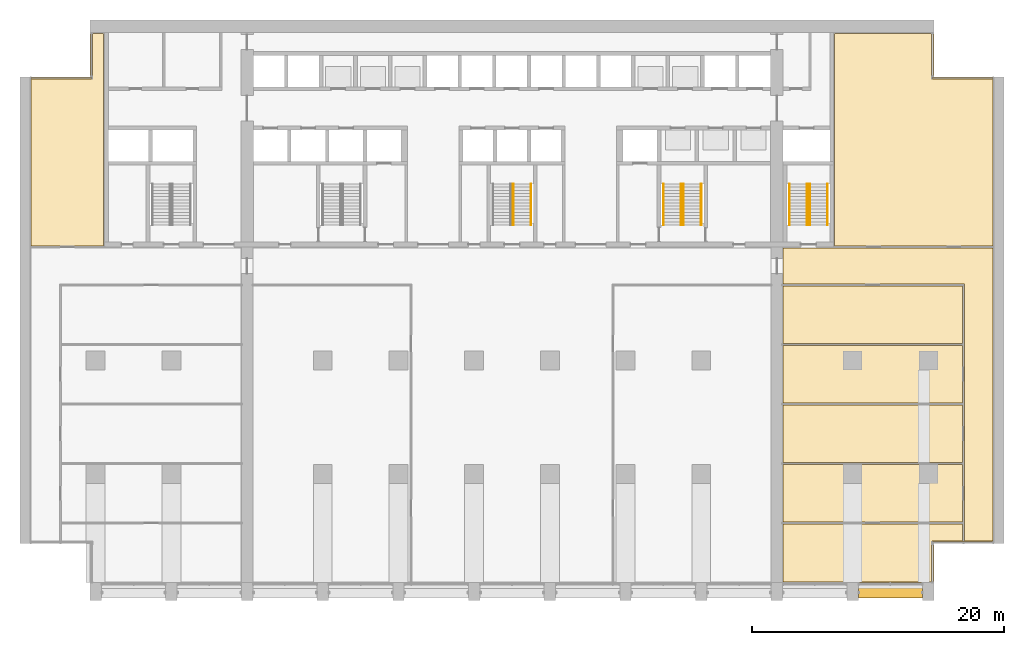
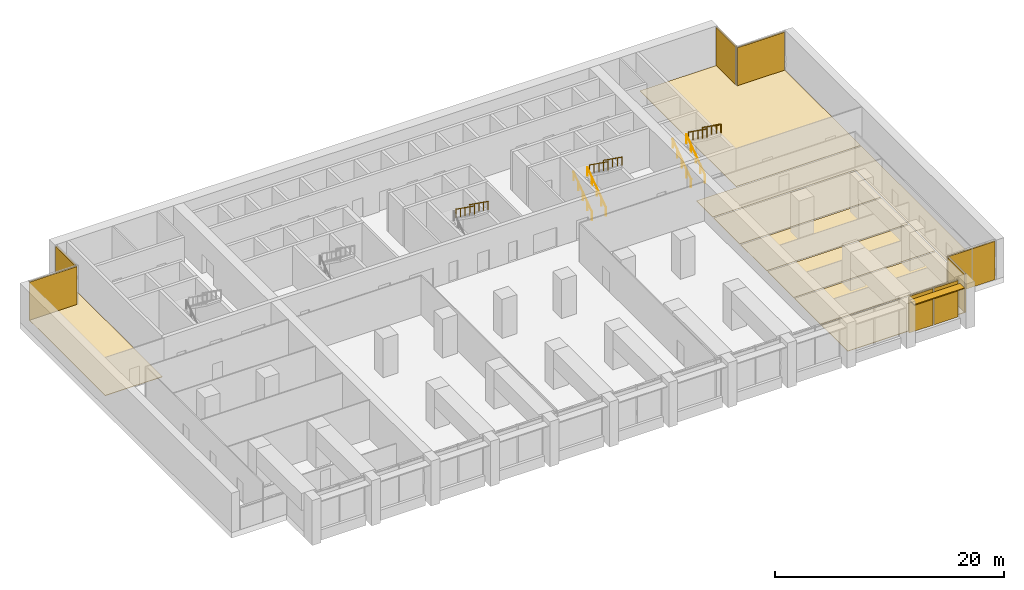
# One storey, part 17 of 18: 10 railings, 9 shading devices, 8 coverings, 10 elements without a shape of their own.
"""IFC4 building model written with IfcOpenShell, lengths in metres."""

from ifc_helpers import new_model, si_unit, direction, frame, origin, origin_2d, place, context, subcontext, project, spatial, polyline, rectangle, circle, outline, extrude, material, layer, layer_set, material_profile, profile_set, type_object, element, aggregate, save


model = new_model("IFC4")

# Units and contexts
model_context = context("Model", 3, precision=1e-05, world=origin(), true_north=direction((0.0, 1.0)))
body_context = subcontext(model_context, "Body", "Model", "MODEL_VIEW")
ifc_project = project(units=[si_unit("LENGTHUNIT", "METRE"), si_unit("AREAUNIT", "SQUARE_METRE"), si_unit("VOLUMEUNIT", "CUBIC_METRE"), si_unit("PLANEANGLEUNIT", "RADIAN"), si_unit("MASSUNIT", "GRAM", prefix="KILO")], contexts=[model_context])

# Site, building, storey
site_placement = place(None, origin())
site = spatial("IfcSite", under=ifc_project, at=site_placement, CompositionType="ELEMENT")
building_placement = place(site_placement, origin())
building = spatial("IfcBuilding", under=site, at=building_placement, Name="Calvaro Tower", CompositionType="ELEMENT")
storey_placement = place(building_placement, frame((0.0, 0.0, 90.0)))
storey = spatial("IfcBuildingStorey", under=building, at=storey_placement, Name="L22", CompositionType="ELEMENT", Elevation=90.0)

# Shading device
ifc_material_1 = material(Name="Anodised aluminium", Category="aluminium")
ifc_material_profile = material_profile(ifc_material_1, rectangle(XDim=0.800048828125, YDim=0.10009765625, at=origin_2d()), Name="Brise-soleil blade 800 x 100")
ifc_profile_set = profile_set([ifc_material_profile], Name="Anodised aluminium")
shading_device_type_1 = type_object("IfcShadingDeviceType", Name="Brise-soleil blade 800 x 100", PredefinedType="JALOUSIE", material=ifc_profile_set)
shading_device_1_placement = place(storey_placement, frame((66.449951171875, 0.60009765625, 3.64990234375), z_axis=(1.0, 0.0, 0.0), x_axis=(0.0, 1.0, 0.0)))
element("IfcShadingDevice", 1, at=shading_device_1_placement, inside=storey, type_object=shading_device_type_1, Name="Brise-soleil blade 11", PredefinedType="JALOUSIE", context=body_context, shape_type="SweptSolid", body=[
    extrude(rectangle(XDim=0.800048828125, YDim=0.10009765625, at=origin_2d()), origin(), (0.0, 0.0, 1.0), 5.10009765625),
])

# Coverings
ifc_material_2 = material(Name="Cement screed with carpet tile finish")
ifc_layer_1 = layer(ifc_material_2, 0.050048828125)
ifc_layer_set_1 = layer_set([ifc_layer_1], Name="Cement screed with carpet tile finish")
covering_type = type_object("IfcCoveringType", Name="Floor finish 50", PredefinedType="FLOORING", material=ifc_layer_set_1)
covering_1_placement = place(storey_placement, origin())
element("IfcCovering", 2, at=covering_1_placement, inside=storey, type_object=covering_type, Name="Floor finish 15.03", PredefinedType="FLOORING", context=body_context, shape_type="SweptSolid", body=[
    extrude(outline(polyline([(74.8701171875, 25.070068359375), (60.469970703125, 25.070068359375), (60.469970703125, 27.929931640625), (77.1298828125, 27.929931640625), (77.1298828125, 4.570068359375), (74.8701171875, 4.570068359375), (74.8701171875, 25.070068359375)])), origin(), (0.0, 0.0, 1.0), 0.050048828125),
])
covering_2_placement = place(storey_placement, origin())
element("IfcCovering", 3, at=covering_2_placement, inside=storey, type_object=covering_type, Name="Floor finish 15.05", PredefinedType="FLOORING", context=body_context, shape_type="SweptSolid", body=[
    extrude(outline(polyline([(60.469970703125, 6.050048828125), (74.72998046875, 6.050048828125), (74.72998046875, 4.570068359375), (72.3798828125, 4.570068359375), (72.3798828125, 1.469970703125), (60.469970703125, 1.469970703125), (60.469970703125, 6.050048828125)])), origin(), (0.0, 0.0, 1.0), 0.050048828125),
])
covering_3_placement = place(storey_placement, origin())
element("IfcCovering", 4, at=covering_3_placement, inside=storey, type_object=covering_type, Name="Floor finish 15.07", PredefinedType="FLOORING", context=body_context, shape_type="SweptSolid", body=[
    extrude(outline(polyline([(60.469970703125, 6.18994140625), (60.469970703125, 10.77001953125), (74.72998046875, 10.77001953125), (74.72998046875, 6.18994140625), (60.469970703125, 6.18994140625)])), origin(), (0.0, 0.0, 1.0), 0.050048828125),
])
covering_4_placement = place(storey_placement, origin())
element("IfcCovering", 5, at=covering_4_placement, inside=storey, type_object=covering_type, Name="Floor finish 15.11", PredefinedType="FLOORING", context=body_context, shape_type="SweptSolid", body=[
    extrude(outline(polyline([(60.469970703125, 10.909912109375), (60.469970703125, 15.489990234375), (74.72998046875, 15.489990234375), (74.72998046875, 10.909912109375), (60.469970703125, 10.909912109375)])), origin(), (0.0, 0.0, 1.0), 0.050048828125),
])
covering_5_placement = place(storey_placement, origin())
element("IfcCovering", 6, at=covering_5_placement, inside=storey, type_object=covering_type, Name="Floor finish 15.13", PredefinedType="FLOORING", context=body_context, shape_type="SweptSolid", body=[
    extrude(outline(polyline([(60.469970703125, 15.6298828125), (60.469970703125, 20.2099609375), (74.72998046875, 20.2099609375), (74.72998046875, 15.6298828125), (60.469970703125, 15.6298828125)])), origin(), (0.0, 0.0, 1.0), 0.050048828125),
])
covering_6_placement = place(storey_placement, origin())
element("IfcCovering", 7, at=covering_6_placement, inside=storey, type_object=covering_type, Name="Floor finish 15.15", PredefinedType="FLOORING", context=body_context, shape_type="SweptSolid", body=[
    extrude(outline(polyline([(60.469970703125, 20.35009765625), (60.469970703125, 24.929931640625), (74.72998046875, 24.929931640625), (74.72998046875, 20.35009765625), (60.469970703125, 20.35009765625)])), origin(), (0.0, 0.0, 1.0), 0.050048828125),
])
covering_7_placement = place(storey_placement, origin())
element("IfcCovering", 8, at=covering_7_placement, inside=storey, type_object=covering_type, Name="Floor finish 15.16", PredefinedType="FLOORING", context=body_context, shape_type="SweptSolid", body=[
    extrude(outline(polyline([(6.6298828125, 28.070068359375), (0.8701171875, 28.070068359375), (0.8701171875, 41.429931640625), (5.6201171875, 41.429931640625), (5.6201171875, 44.929931640625), (6.6298828125, 44.929931640625), (6.6298828125, 28.070068359375)])), origin(), (0.0, 0.0, 1.0), 0.050048828125),
])
covering_8_placement = place(storey_placement, origin())
element("IfcCovering", 9, at=covering_8_placement, inside=storey, type_object=covering_type, Name="Floor finish 15.17", PredefinedType="FLOORING", context=body_context, shape_type="SweptSolid", body=[
    extrude(outline(polyline([(77.1298828125, 28.070068359375), (64.570068359375, 28.070068359375), (64.570068359375, 44.929931640625), (72.3798828125, 44.929931640625), (72.3798828125, 41.429931640625), (77.1298828125, 41.429931640625), (77.1298828125, 28.070068359375)])), origin(), (0.0, 0.0, 1.0), 0.050048828125),
])

# Curtain wall, shading devices
ifc_material_3 = material(Name="Anodised aluminium", Category="aluminium")
curtain_wall_type = type_object("IfcCurtainWallType", Name="Louvre wall", PredefinedType="NOTDEFINED", material=ifc_material_3)
curtain_wall_1_placement = place(storey_placement, origin())
curtain_wall_1 = element("IfcCurtainWall", 10, at=curtain_wall_1_placement, inside=storey, type_object=curtain_wall_type, Name="CW8 south louvre wall", PredefinedType="NOTDEFINED")
ifc_material_4 = material(Name="Aluminium", Category="aluminium")
ifc_layer_2 = layer(ifc_material_4, 0.14990234375)
ifc_layer_set_2 = layer_set([ifc_layer_2], Name="Aluminium")
shading_device_type_2 = type_object("IfcShadingDeviceType", Name="Louvre panel LV 150", PredefinedType="JALOUSIE", material=ifc_layer_set_2)
shading_device_2_placement = place(storey_placement, frame((67.7451171875, 1.300048828125, 0.0), z_axis=(0.0, 0.0, 1.0), x_axis=(1.0, 0.0, 0.0)))
shading_device_2 = element("IfcShadingDevice", 11, at=shading_device_2_placement, type_object=shading_device_type_2, Name="CW8 louvre panel 1.1", PredefinedType="JALOUSIE", context=body_context, shape_type="SweptSolid", body=[
    extrude(rectangle(XDim=2.429931640625, YDim=0.14990234375, at=origin_2d()), origin(), (0.0, 0.0, 1.0), 3.89990234375),
])
shading_device_3_placement = place(storey_placement, frame((70.2548828125, 1.300048828125, 0.0), z_axis=(0.0, 0.0, 1.0), x_axis=(1.0, 0.0, 0.0)))
shading_device_3 = element("IfcShadingDevice", 12, at=shading_device_3_placement, type_object=shading_device_type_2, Name="CW8 louvre panel 2.1", PredefinedType="JALOUSIE", context=body_context, shape_type="SweptSolid", body=[
    extrude(rectangle(XDim=2.429931640625, YDim=0.14990234375, at=origin_2d()), origin(), (0.0, 0.0, 1.0), 3.89990234375),
])
aggregate(curtain_wall_1, [shading_device_2, shading_device_3])

# Curtain wall, shading device
curtain_wall_2_placement = place(storey_placement, origin())
curtain_wall_2 = element("IfcCurtainWall", 13, at=curtain_wall_2_placement, inside=storey, type_object=curtain_wall_type, Name="CW8 corner curtain wall", PredefinedType="NOTDEFINED")
shading_device_4_placement = place(storey_placement, frame((5.64990234375, 43.25, 0.0), z_axis=(0.0, 0.0, 1.0), x_axis=(0.0, 1.0, 0.0)))
shading_device_4 = element("IfcShadingDevice", 14, at=shading_device_4_placement, type_object=shading_device_type_2, Name="CW8 louvre panel 1.1", PredefinedType="JALOUSIE", context=body_context, shape_type="SweptSolid", body=[
    extrude(rectangle(XDim=3.340087890625, YDim=0.14990234375, at=origin_2d()), origin(), (0.0, 0.0, 1.0), 4.10009765625),
])
aggregate(curtain_wall_2, [shading_device_4])

curtain_wall_3_placement = place(storey_placement, origin())
curtain_wall_3 = element("IfcCurtainWall", 15, at=curtain_wall_3_placement, inside=storey, type_object=curtain_wall_type, Name="CW8 corner curtain wall", PredefinedType="NOTDEFINED")
shading_device_5_placement = place(storey_placement, frame((3.27490234375, 41.39990234375, 0.0), z_axis=(0.0, 0.0, 1.0), x_axis=(1.0, 0.0, 0.0)))
shading_device_5 = element("IfcShadingDevice", 16, at=shading_device_5_placement, type_object=shading_device_type_2, Name="CW8 louvre panel 1.1", PredefinedType="JALOUSIE", context=body_context, shape_type="SweptSolid", body=[
    extrude(rectangle(XDim=4.7900390625, YDim=0.14990234375, at=origin_2d()), origin(), (0.0, 0.0, 1.0), 4.10009765625),
])
aggregate(curtain_wall_3, [shading_device_5])

curtain_wall_4_placement = place(storey_placement, origin())
curtain_wall_4 = element("IfcCurtainWall", 17, at=curtain_wall_4_placement, inside=storey, type_object=curtain_wall_type, Name="CW8 corner curtain wall", PredefinedType="NOTDEFINED")
shading_device_6_placement = place(storey_placement, frame((72.35009765625, 2.949951171875, 0.0), z_axis=(0.0, 0.0, 1.0), x_axis=(0.0, 1.0, 0.0)))
shading_device_6 = element("IfcShadingDevice", 18, at=shading_device_6_placement, type_object=shading_device_type_2, Name="CW8 louvre panel 1.1", PredefinedType="JALOUSIE", context=body_context, shape_type="SweptSolid", body=[
    extrude(rectangle(XDim=2.93994140625, YDim=0.14990234375, at=origin_2d()), origin(), (0.0, 0.0, 1.0), 4.10009765625),
])
aggregate(curtain_wall_4, [shading_device_6])

curtain_wall_5_placement = place(storey_placement, origin())
curtain_wall_5 = element("IfcCurtainWall", 19, at=curtain_wall_5_placement, inside=storey, type_object=curtain_wall_type, Name="CW8 corner curtain wall", PredefinedType="NOTDEFINED")
shading_device_7_placement = place(storey_placement, frame((74.72509765625, 4.60009765625, 0.0), z_axis=(0.0, 0.0, 1.0), x_axis=(1.0, 0.0, 0.0)))
shading_device_7 = element("IfcShadingDevice", 20, at=shading_device_7_placement, type_object=shading_device_type_2, Name="CW8 louvre panel 1.1", PredefinedType="JALOUSIE", context=body_context, shape_type="SweptSolid", body=[
    extrude(rectangle(XDim=4.7900390625, YDim=0.14990234375, at=origin_2d()), origin(), (0.0, 0.0, 1.0), 4.10009765625),
])
aggregate(curtain_wall_5, [shading_device_7])

curtain_wall_6_placement = place(storey_placement, origin())
curtain_wall_6 = element("IfcCurtainWall", 21, at=curtain_wall_6_placement, inside=storey, type_object=curtain_wall_type, Name="CW8 corner curtain wall", PredefinedType="NOTDEFINED")
shading_device_8_placement = place(storey_placement, frame((72.35009765625, 43.25, 0.0), z_axis=(0.0, 0.0, 1.0), x_axis=(0.0, 1.0, 0.0)))
shading_device_8 = element("IfcShadingDevice", 22, at=shading_device_8_placement, type_object=shading_device_type_2, Name="CW8 louvre panel 1.1", PredefinedType="JALOUSIE", context=body_context, shape_type="SweptSolid", body=[
    extrude(rectangle(XDim=3.340087890625, YDim=0.14990234375, at=origin_2d()), origin(), (0.0, 0.0, 1.0), 4.10009765625),
])
aggregate(curtain_wall_6, [shading_device_8])

curtain_wall_7_placement = place(storey_placement, origin())
curtain_wall_7 = element("IfcCurtainWall", 23, at=curtain_wall_7_placement, inside=storey, type_object=curtain_wall_type, Name="CW8 corner curtain wall", PredefinedType="NOTDEFINED")
shading_device_9_placement = place(storey_placement, frame((74.72509765625, 41.39990234375, 0.0), z_axis=(0.0, 0.0, 1.0), x_axis=(1.0, 0.0, 0.0)))
shading_device_9 = element("IfcShadingDevice", 24, at=shading_device_9_placement, type_object=shading_device_type_2, Name="CW8 louvre panel 1.1", PredefinedType="JALOUSIE", context=body_context, shape_type="SweptSolid", body=[
    extrude(rectangle(XDim=4.7900390625, YDim=0.14990234375, at=origin_2d()), origin(), (0.0, 0.0, 1.0), 4.10009765625),
])
aggregate(curtain_wall_7, [shading_device_9])

# Stair, railings
ifc_material_5 = material(Name="Concrete C40/50", Category="concrete")
stair_type = type_object("IfcStairType", Name="Exit stair 1400 2 flights", PredefinedType="HALF_TURN_STAIR", material=ifc_material_5)
stair_1_placement = place(storey_placement, origin())
stair_1 = element("IfcStair", 25, at=stair_1_placement, inside=storey, type_object=stair_type, Name="Exit stair S3", PredefinedType="HALF_TURN_STAIR")
ifc_material_6 = material(Name="Stainless steel", Category="steel")
railing_type = type_object("IfcRailingType", Name="Stair handrail", PredefinedType="HANDRAIL", material=ifc_material_6)
railing_1_placement = place(storey_placement, frame((39.10009765625, 33.0, 2.678466796875)))
railing_1 = element("IfcRailing", 26, at=railing_1_placement, type_object=railing_type, Name="Exit stair 3 handrail", PredefinedType="HANDRAIL", context=body_context, shape_type="SweptSolid", body=[
    extrude(circle(Radius=0.02392578125, at=origin_2d()), frame((0.0, 0.0, 0.8759765625), z_axis=(0.0, -0.813721080437, 0.581255540405), x_axis=(1.0, 0.0, 0.0)), (0.0, 0.0, 1.0), 3.993896484375),
    extrude(circle(Radius=0.02099609375, at=origin_2d()), frame((0.0, -0.01708984375, 0.01220703125)), (0.0, 0.0, 1.0), 0.851806640625),
    extrude(circle(Radius=0.02099609375, at=origin_2d()), frame((0.0, -0.8125, 0.580322265625)), (0.0, 0.0, 1.0), 0.851806640625),
    extrude(circle(Radius=0.02099609375, at=origin_2d()), frame((0.0, -1.625, 1.16064453125)), (0.0, 0.0, 1.0), 0.851806640625),
    extrude(circle(Radius=0.02099609375, at=origin_2d()), frame((0.0, -2.4375, 1.7412109375)), (0.0, 0.0, 1.0), 0.851806640625),
    extrude(circle(Radius=0.02099609375, at=origin_2d()), frame((0.0, -3.23291015625, 2.309326171875)), (0.0, 0.0, 1.0), 0.851806640625),
])
railing_2_placement = place(storey_placement, frame((40.5, 33.0, 2.678466796875)))
railing_2 = element("IfcRailing", 27, at=railing_2_placement, type_object=railing_type, Name="Exit stair 3 handrail", PredefinedType="HANDRAIL", context=body_context, shape_type="SweptSolid", body=[
    extrude(circle(Radius=0.02392578125, at=origin_2d()), frame((0.0, 0.0, 0.8759765625), z_axis=(0.0, -0.813721080437, 0.581255540405), x_axis=(1.0, 0.0, 0.0)), (0.0, 0.0, 1.0), 3.993896484375),
    extrude(circle(Radius=0.02099609375, at=origin_2d()), frame((0.0, -0.01708984375, 0.01220703125)), (0.0, 0.0, 1.0), 0.851806640625),
    extrude(circle(Radius=0.02099609375, at=origin_2d()), frame((0.0, -0.8125, 0.580322265625)), (0.0, 0.0, 1.0), 0.851806640625),
    extrude(circle(Radius=0.02099609375, at=origin_2d()), frame((0.0, -1.625, 1.16064453125)), (0.0, 0.0, 1.0), 0.851806640625),
    extrude(circle(Radius=0.02099609375, at=origin_2d()), frame((0.0, -2.4375, 1.7412109375)), (0.0, 0.0, 1.0), 0.851806640625),
    extrude(circle(Radius=0.02099609375, at=origin_2d()), frame((0.0, -3.23291015625, 2.309326171875)), (0.0, 0.0, 1.0), 0.851806640625),
])
aggregate(stair_1, [railing_1, railing_2])

stair_2_placement = place(storey_placement, origin())
stair_2 = element("IfcStair", 28, at=stair_2_placement, inside=storey, type_object=stair_type, Name="Exit stair S4", PredefinedType="HALF_TURN_STAIR")
railing_3_placement = place(storey_placement, frame((52.39990234375, 29.75, 0.178466796875)))
railing_3 = element("IfcRailing", 29, at=railing_3_placement, type_object=railing_type, Name="Exit stair 4 handrail", PredefinedType="HANDRAIL", context=body_context, shape_type="SweptSolid", body=[
    extrude(circle(Radius=0.02392578125, at=origin_2d()), frame((0.0, 0.0, 0.8759765625), z_axis=(0.0, 0.813721080437, 0.581255540405), x_axis=(-1.0, 0.0, 0.0)), (0.0, 0.0, 1.0), 3.993896484375),
    extrude(circle(Radius=0.02099609375, at=origin_2d()), frame((0.0, 0.01708984375, 0.01220703125)), (0.0, 0.0, 1.0), 0.851806640625),
    extrude(circle(Radius=0.02099609375, at=origin_2d()), frame((0.0, 0.8125, 0.580322265625)), (0.0, 0.0, 1.0), 0.851806640625),
    extrude(circle(Radius=0.02099609375, at=origin_2d()), frame((0.0, 1.625, 1.16064453125)), (0.0, 0.0, 1.0), 0.851806640625),
    extrude(circle(Radius=0.02099609375, at=origin_2d()), frame((0.0, 2.4375, 1.7412109375)), (0.0, 0.0, 1.0), 0.851806640625),
    extrude(circle(Radius=0.02099609375, at=origin_2d()), frame((0.0, 3.23291015625, 2.309326171875)), (0.0, 0.0, 1.0), 0.851806640625),
])
railing_4_placement = place(storey_placement, frame((51.0, 29.75, 0.178466796875)))
railing_4 = element("IfcRailing", 30, at=railing_4_placement, type_object=railing_type, Name="Exit stair 4 handrail", PredefinedType="HANDRAIL", context=body_context, shape_type="SweptSolid", body=[
    extrude(circle(Radius=0.02392578125, at=origin_2d()), frame((0.0, 0.0, 0.8759765625), z_axis=(0.0, 0.813721080437, 0.581255540405), x_axis=(-1.0, 0.0, 0.0)), (0.0, 0.0, 1.0), 3.993896484375),
    extrude(circle(Radius=0.02099609375, at=origin_2d()), frame((0.0, 0.01708984375, 0.01220703125)), (0.0, 0.0, 1.0), 0.851806640625),
    extrude(circle(Radius=0.02099609375, at=origin_2d()), frame((0.0, 0.8125, 0.580322265625)), (0.0, 0.0, 1.0), 0.851806640625),
    extrude(circle(Radius=0.02099609375, at=origin_2d()), frame((0.0, 1.625, 1.16064453125)), (0.0, 0.0, 1.0), 0.851806640625),
    extrude(circle(Radius=0.02099609375, at=origin_2d()), frame((0.0, 2.4375, 1.7412109375)), (0.0, 0.0, 1.0), 0.851806640625),
    extrude(circle(Radius=0.02099609375, at=origin_2d()), frame((0.0, 3.23291015625, 2.309326171875)), (0.0, 0.0, 1.0), 0.851806640625),
])
railing_5_placement = place(storey_placement, frame((52.60009765625, 33.0, 2.678466796875)))
railing_5 = element("IfcRailing", 31, at=railing_5_placement, type_object=railing_type, Name="Exit stair 4 handrail", PredefinedType="HANDRAIL", context=body_context, shape_type="SweptSolid", body=[
    extrude(circle(Radius=0.02392578125, at=origin_2d()), frame((0.0, 0.0, 0.8759765625), z_axis=(0.0, -0.813721080437, 0.581255540405), x_axis=(1.0, 0.0, 0.0)), (0.0, 0.0, 1.0), 3.993896484375),
    extrude(circle(Radius=0.02099609375, at=origin_2d()), frame((0.0, -0.01708984375, 0.01220703125)), (0.0, 0.0, 1.0), 0.851806640625),
    extrude(circle(Radius=0.02099609375, at=origin_2d()), frame((0.0, -0.8125, 0.580322265625)), (0.0, 0.0, 1.0), 0.851806640625),
    extrude(circle(Radius=0.02099609375, at=origin_2d()), frame((0.0, -1.625, 1.16064453125)), (0.0, 0.0, 1.0), 0.851806640625),
    extrude(circle(Radius=0.02099609375, at=origin_2d()), frame((0.0, -2.4375, 1.7412109375)), (0.0, 0.0, 1.0), 0.851806640625),
    extrude(circle(Radius=0.02099609375, at=origin_2d()), frame((0.0, -3.23291015625, 2.309326171875)), (0.0, 0.0, 1.0), 0.851806640625),
])
railing_6_placement = place(storey_placement, frame((54.0, 33.0, 2.678466796875)))
railing_6 = element("IfcRailing", 32, at=railing_6_placement, type_object=railing_type, Name="Exit stair 4 handrail", PredefinedType="HANDRAIL", context=body_context, shape_type="SweptSolid", body=[
    extrude(circle(Radius=0.02392578125, at=origin_2d()), frame((0.0, 0.0, 0.8759765625), z_axis=(0.0, -0.813721080437, 0.581255540405), x_axis=(1.0, 0.0, 0.0)), (0.0, 0.0, 1.0), 3.993896484375),
    extrude(circle(Radius=0.02099609375, at=origin_2d()), frame((0.0, -0.01708984375, 0.01220703125)), (0.0, 0.0, 1.0), 0.851806640625),
    extrude(circle(Radius=0.02099609375, at=origin_2d()), frame((0.0, -0.8125, 0.580322265625)), (0.0, 0.0, 1.0), 0.851806640625),
    extrude(circle(Radius=0.02099609375, at=origin_2d()), frame((0.0, -1.625, 1.16064453125)), (0.0, 0.0, 1.0), 0.851806640625),
    extrude(circle(Radius=0.02099609375, at=origin_2d()), frame((0.0, -2.4375, 1.7412109375)), (0.0, 0.0, 1.0), 0.851806640625),
    extrude(circle(Radius=0.02099609375, at=origin_2d()), frame((0.0, -3.23291015625, 2.309326171875)), (0.0, 0.0, 1.0), 0.851806640625),
])
aggregate(stair_2, [railing_3, railing_4, railing_5, railing_6])

stair_3_placement = place(storey_placement, origin())
stair_3 = element("IfcStair", 33, at=stair_3_placement, inside=storey, type_object=stair_type, Name="Exit stair S5", PredefinedType="HALF_TURN_STAIR")
railing_7_placement = place(storey_placement, frame((62.39990234375, 29.75, 0.178466796875)))
railing_7 = element("IfcRailing", 34, at=railing_7_placement, type_object=railing_type, Name="Exit stair 5 handrail", PredefinedType="HANDRAIL", context=body_context, shape_type="SweptSolid", body=[
    extrude(circle(Radius=0.02392578125, at=origin_2d()), frame((0.0, 0.0, 0.8759765625), z_axis=(0.0, 0.813721080437, 0.581255540405), x_axis=(-1.0, 0.0, 0.0)), (0.0, 0.0, 1.0), 3.993896484375),
    extrude(circle(Radius=0.02099609375, at=origin_2d()), frame((0.0, 0.01708984375, 0.01220703125)), (0.0, 0.0, 1.0), 0.851806640625),
    extrude(circle(Radius=0.02099609375, at=origin_2d()), frame((0.0, 0.8125, 0.580322265625)), (0.0, 0.0, 1.0), 0.851806640625),
    extrude(circle(Radius=0.02099609375, at=origin_2d()), frame((0.0, 1.625, 1.16064453125)), (0.0, 0.0, 1.0), 0.851806640625),
    extrude(circle(Radius=0.02099609375, at=origin_2d()), frame((0.0, 2.4375, 1.7412109375)), (0.0, 0.0, 1.0), 0.851806640625),
    extrude(circle(Radius=0.02099609375, at=origin_2d()), frame((0.0, 3.23291015625, 2.309326171875)), (0.0, 0.0, 1.0), 0.851806640625),
])
railing_8_placement = place(storey_placement, frame((61.0, 29.75, 0.178466796875)))
railing_8 = element("IfcRailing", 35, at=railing_8_placement, type_object=railing_type, Name="Exit stair 5 handrail", PredefinedType="HANDRAIL", context=body_context, shape_type="SweptSolid", body=[
    extrude(circle(Radius=0.02392578125, at=origin_2d()), frame((0.0, 0.0, 0.8759765625), z_axis=(0.0, 0.813721080437, 0.581255540405), x_axis=(-1.0, 0.0, 0.0)), (0.0, 0.0, 1.0), 3.993896484375),
    extrude(circle(Radius=0.02099609375, at=origin_2d()), frame((0.0, 0.01708984375, 0.01220703125)), (0.0, 0.0, 1.0), 0.851806640625),
    extrude(circle(Radius=0.02099609375, at=origin_2d()), frame((0.0, 0.8125, 0.580322265625)), (0.0, 0.0, 1.0), 0.851806640625),
    extrude(circle(Radius=0.02099609375, at=origin_2d()), frame((0.0, 1.625, 1.16064453125)), (0.0, 0.0, 1.0), 0.851806640625),
    extrude(circle(Radius=0.02099609375, at=origin_2d()), frame((0.0, 2.4375, 1.7412109375)), (0.0, 0.0, 1.0), 0.851806640625),
    extrude(circle(Radius=0.02099609375, at=origin_2d()), frame((0.0, 3.23291015625, 2.309326171875)), (0.0, 0.0, 1.0), 0.851806640625),
])
railing_9_placement = place(storey_placement, frame((62.60009765625, 33.0, 2.678466796875)))
railing_9 = element("IfcRailing", 36, at=railing_9_placement, type_object=railing_type, Name="Exit stair 5 handrail", PredefinedType="HANDRAIL", context=body_context, shape_type="SweptSolid", body=[
    extrude(circle(Radius=0.02392578125, at=origin_2d()), frame((0.0, 0.0, 0.8759765625), z_axis=(0.0, -0.813721080437, 0.581255540405), x_axis=(1.0, 0.0, 0.0)), (0.0, 0.0, 1.0), 3.993896484375),
    extrude(circle(Radius=0.02099609375, at=origin_2d()), frame((0.0, -0.01708984375, 0.01220703125)), (0.0, 0.0, 1.0), 0.851806640625),
    extrude(circle(Radius=0.02099609375, at=origin_2d()), frame((0.0, -0.8125, 0.580322265625)), (0.0, 0.0, 1.0), 0.851806640625),
    extrude(circle(Radius=0.02099609375, at=origin_2d()), frame((0.0, -1.625, 1.16064453125)), (0.0, 0.0, 1.0), 0.851806640625),
    extrude(circle(Radius=0.02099609375, at=origin_2d()), frame((0.0, -2.4375, 1.7412109375)), (0.0, 0.0, 1.0), 0.851806640625),
    extrude(circle(Radius=0.02099609375, at=origin_2d()), frame((0.0, -3.23291015625, 2.309326171875)), (0.0, 0.0, 1.0), 0.851806640625),
])
railing_10_placement = place(storey_placement, frame((64.0, 33.0, 2.678466796875)))
railing_10 = element("IfcRailing", 37, at=railing_10_placement, type_object=railing_type, Name="Exit stair 5 handrail", PredefinedType="HANDRAIL", context=body_context, shape_type="SweptSolid", body=[
    extrude(circle(Radius=0.02392578125, at=origin_2d()), frame((0.0, 0.0, 0.8759765625), z_axis=(0.0, -0.813721080437, 0.581255540405), x_axis=(1.0, 0.0, 0.0)), (0.0, 0.0, 1.0), 3.993896484375),
    extrude(circle(Radius=0.02099609375, at=origin_2d()), frame((0.0, -0.01708984375, 0.01220703125)), (0.0, 0.0, 1.0), 0.851806640625),
    extrude(circle(Radius=0.02099609375, at=origin_2d()), frame((0.0, -0.8125, 0.580322265625)), (0.0, 0.0, 1.0), 0.851806640625),
    extrude(circle(Radius=0.02099609375, at=origin_2d()), frame((0.0, -1.625, 1.16064453125)), (0.0, 0.0, 1.0), 0.851806640625),
    extrude(circle(Radius=0.02099609375, at=origin_2d()), frame((0.0, -2.4375, 1.7412109375)), (0.0, 0.0, 1.0), 0.851806640625),
    extrude(circle(Radius=0.02099609375, at=origin_2d()), frame((0.0, -3.23291015625, 2.309326171875)), (0.0, 0.0, 1.0), 0.851806640625),
])
aggregate(stair_3, [railing_7, railing_8, railing_9, railing_10])

save(model, "model.ifc")
